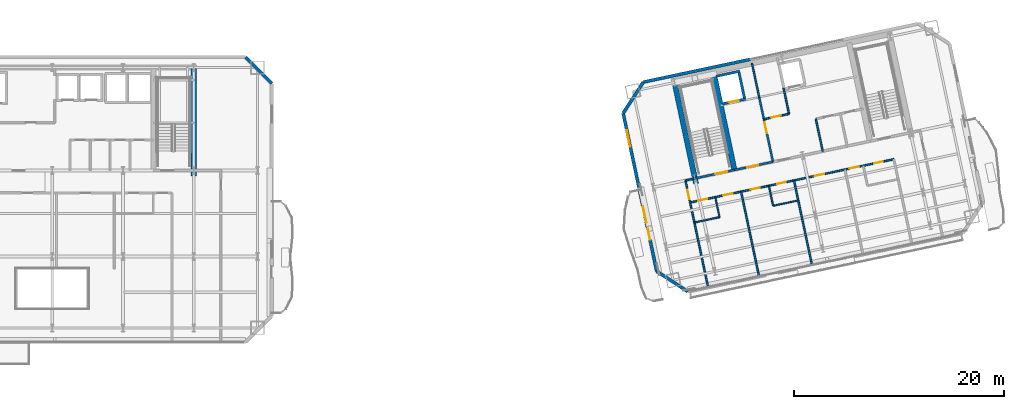
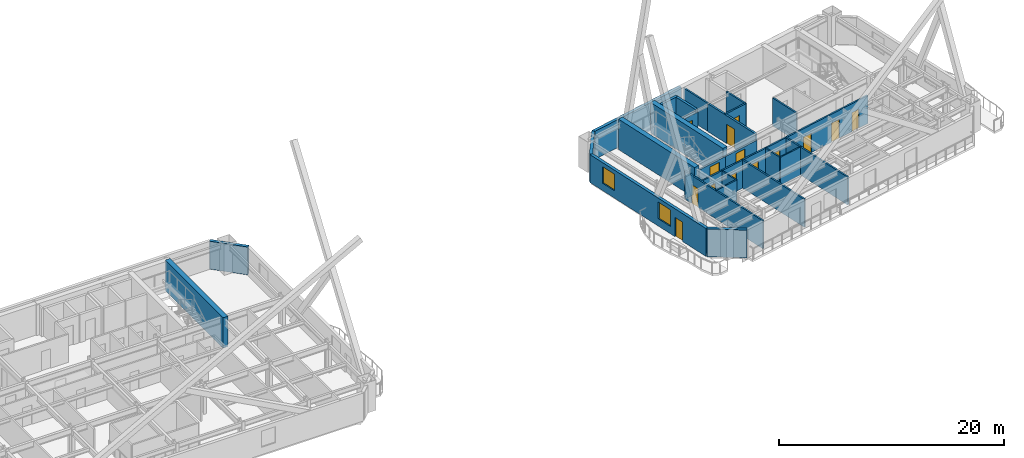
# One storey, part 12 of 19: 27 walls, 14 doors, 2 windows, 16 openings.
"""IFC4 building model written with IfcOpenShell, lengths in metres."""

from ifc_helpers import new_model, si_unit, direction, frame, frame_2d, origin, place, context, subcontext, project, spatial, rectangle, extrude, material, layer, layer_set, type_object, element, fill, save


model = new_model("IFC4")

# Units and contexts
model_context = context("Model", 3, precision=1e-05, world=origin(), true_north=direction((0.0, 1.0)))
body_context = subcontext(model_context, "Body", "Model", "MODEL_VIEW")
ifc_project = project(units=[si_unit("LENGTHUNIT", "METRE"), si_unit("AREAUNIT", "SQUARE_METRE"), si_unit("VOLUMEUNIT", "CUBIC_METRE"), si_unit("PLANEANGLEUNIT", "RADIAN"), si_unit("MASSUNIT", "GRAM", prefix="KILO")], contexts=[model_context])

# Site, building, storey
site_placement = place(None, origin())
site = spatial("IfcSite", under=ifc_project, at=site_placement, CompositionType="ELEMENT")
building_placement = place(site_placement, origin())
building = spatial("IfcBuilding", under=site, at=building_placement, Name="Haevon Station Towers", CompositionType="ELEMENT")
storey_placement = place(building_placement, frame((0.0, 0.0, 156.0)))
storey = spatial("IfcBuildingStorey", under=building, at=storey_placement, Name="L42", CompositionType="ELEMENT", Elevation=156.0)

# Wall, opening, door
ifc_material_1 = material(Name="Gypsum board on steel stud", Category="steel")
ifc_layer_1 = layer(ifc_material_1, 0.199951171875)
ifc_layer_set_1 = layer_set([ifc_layer_1], Name="Gypsum board on steel stud")
wall_type_1 = type_object("IfcWallType", Name="WL-COR200", PredefinedType="PARTITIONING", material=ifc_layer_set_1)
wall_1_placement = place(storey_placement, frame((98.75244140625, 37.4423828125, 0.0), z_axis=(0.0, 0.0, 1.0), x_axis=(0.978143537786, 0.207930804564, 0.0)))
wall_1 = element("IfcWall", 1, at=wall_1_placement, inside=storey, type_object=wall_type_1, Name="WL-ST-ST3-L42", PredefinedType="PARTITIONING", context=body_context, shape_type="SweptSolid", body=[
    extrude(rectangle(XDim=3.85009765625, YDim=0.199951171875, at=frame_2d((1.925048828125, 0.0))), origin(), (0.0, 0.0, 1.0), 2.3798828125),
])
opening_1_placement = place(wall_1_placement, frame((2.0, 0.0, 0.0)))
opening_1 = element("IfcOpeningElement", 2, at=opening_1_placement, cuts=wall_1, Name="Opening DR-ST-ST3-L42", PredefinedType="OPENING", context=body_context, shape_type="SweptSolid", body=[
    extrude(rectangle(XDim=1.1201171875, YDim=2.10009765625, at=frame_2d((0.56005859375, 1.050048828125))), frame((0.0, 0.10986328125, 0.0), z_axis=(0.0, -1.0, 0.0), x_axis=(1.0, 0.0, 0.0)), (0.0, 0.0, 1.0), 0.219970703125),
])
ifc_material_2 = material(Name="Engineered oak timber", Category="wood")
door_type_1 = type_object("IfcDoorType", Name="DR-ST-1120", OperationType="NOTDEFINED", PredefinedType="DOOR", material=ifc_material_2)
door_1_placement = place(opening_1_placement, origin())
door_1 = element("IfcDoor", 3, at=door_1_placement, inside=storey, type_object=door_type_1, Name="L42 Escape Stair ST3 Fire Door", OperationType="SINGLE_SWING_RIGHT", OverallHeight=2.10009765625, OverallWidth=1.1201171875, PredefinedType="DOOR", context=body_context, shape_type="SweptSolid", body=[
    extrude(rectangle(XDim=1.1201171875, YDim=2.10009765625, at=frame_2d((0.56005859375, 1.050048828125))), frame((0.0, 0.02490234375, 0.0), z_axis=(0.0, -1.0, 0.0), x_axis=(1.0, 0.0, 0.0)), (0.0, 0.0, 1.0), 0.050048828125),
])
fill(opening_1, door_1)

wall_2_placement = place(storey_placement, frame((106.186279296875, 39.0224609375, 0.0), z_axis=(0.0, 0.0, 1.0), x_axis=(-0.207916691923, 0.978146537703, 0.0)))
wall_2 = element("IfcWall", 4, at=wall_2_placement, inside=storey, type_object=wall_type_1, Name="WL-T2FFL-L42-E", PredefinedType="PARTITIONING", context=body_context, shape_type="SweptSolid", body=[
    extrude(rectangle(XDim=6.35009765625, YDim=0.199951171875, at=frame_2d((3.175048828125, 0.0))), origin(), (0.0, 0.0, 1.0), 3.030029296875),
])
opening_2_placement = place(wall_2_placement, frame((2.800048828125, 0.0, 0.0)))
opening_2 = element("IfcOpeningElement", 5, at=opening_2_placement, cuts=wall_2, Name="Opening DR-T2FFL-L42-E", PredefinedType="OPENING", context=body_context, shape_type="SweptSolid", body=[
    extrude(rectangle(XDim=1.050048828125, YDim=2.10009765625, at=frame_2d((0.52490234375, 1.050048828125))), frame((0.0, 0.10986328125, 0.0), z_axis=(0.0, -1.0, 0.0), x_axis=(1.0, 0.0, 0.0)), (0.0, 0.0, 1.0), 0.219970703125),
])
door_type_2 = type_object("IfcDoorType", Name="DR-FD60-1050", OperationType="NOTDEFINED", PredefinedType="DOOR", material=ifc_material_2)
door_2_placement = place(opening_2_placement, origin())
door_2 = element("IfcDoor", 6, at=door_2_placement, inside=storey, type_object=door_type_2, Name="L42 Tower 2 Firefighting Lift Lobby Door E", OperationType="SINGLE_SWING_RIGHT", OverallHeight=2.10009765625, OverallWidth=1.050048828125, PredefinedType="DOOR", context=body_context, shape_type="SweptSolid", body=[
    extrude(rectangle(XDim=1.050048828125, YDim=2.10009765625, at=frame_2d((0.52490234375, 1.050048828125))), frame((0.0, 0.02490234375, 0.0), z_axis=(0.0, -1.0, 0.0), x_axis=(1.0, 0.0, 0.0)), (0.0, 0.0, 1.0), 0.050048828125),
])
fill(opening_2, door_2)

wall_3_placement = place(storey_placement, frame((102.518310546875, 38.242919921875, 0.0), z_axis=(0.0, 0.0, 1.0), x_axis=(0.978153555683, 0.20788367301, 0.0)))
wall_3 = element("IfcWall", 7, at=wall_3_placement, inside=storey, type_object=wall_type_1, Name="WL-T2FFL-L42-S", PredefinedType="PARTITIONING", context=body_context, shape_type="SweptSolid", body=[
    extrude(rectangle(XDim=3.75, YDim=0.199951171875, at=frame_2d((1.875, 0.0))), origin(), (0.0, 0.0, 1.0), 2.3798828125),
])
opening_3_placement = place(wall_3_placement, frame((1.25, 0.0, 0.0)))
opening_3 = element("IfcOpeningElement", 8, at=opening_3_placement, cuts=wall_3, Name="Opening DR-T2FFL-L42-S", PredefinedType="OPENING", context=body_context, shape_type="SweptSolid", body=[
    extrude(rectangle(XDim=1.050048828125, YDim=2.10009765625, at=frame_2d((0.52490234375, 1.050048828125))), frame((0.0, 0.10986328125, 0.0), z_axis=(0.0, -1.0, 0.0), x_axis=(1.0, 0.0, 0.0)), (0.0, 0.0, 1.0), 0.219970703125),
])
door_3_placement = place(opening_3_placement, origin())
door_3 = element("IfcDoor", 9, at=door_3_placement, inside=storey, type_object=door_type_2, Name="L42 Tower 2 Firefighting Lift Lobby Door S", OperationType="SINGLE_SWING_LEFT", OverallHeight=2.10009765625, OverallWidth=1.050048828125, PredefinedType="DOOR", context=body_context, shape_type="SweptSolid", body=[
    extrude(rectangle(XDim=1.050048828125, YDim=2.10009765625, at=frame_2d((0.52490234375, 1.050048828125))), frame((0.0, 0.02490234375, 0.0), z_axis=(0.0, -1.0, 0.0), x_axis=(1.0, 0.0, 0.0)), (0.0, 0.0, 1.0), 0.050048828125),
])
fill(opening_3, door_3)

# Walls
ifc_material_3 = material(Name="Concrete C60/75", Category="concrete")
ifc_layer_2 = layer(ifc_material_3, 0.5)
ifc_layer_set_2 = layer_set([ifc_layer_2], Name="Concrete C60/75")
wall_type_2 = type_object("IfcWallType", Name="WL-CR500", PredefinedType="SHEAR", material=ifc_layer_set_2)
wall_4_placement = place(storey_placement, frame((51.0, 37.679931640625, 0.0), z_axis=(0.0, 0.0, 1.0), x_axis=(0.0, 1.0, 0.0)))
element("IfcWall", 10, at=wall_4_placement, inside=storey, type_object=wall_type_2, Name="WL-T1CR-L42-E", PredefinedType="SHEAR", context=body_context, shape_type="SweptSolid", body=[
    extrude(rectangle(XDim=10.320068359375, YDim=0.5, at=frame_2d((5.16015625, 0.0))), origin(), (0.0, 0.0, 1.0), 3.300048828125),
])
wall_5_placement = place(storey_placement, frame((98.8603515625, 36.933837890625, 0.0), z_axis=(0.0, 0.0, 1.0), x_axis=(-0.20790924889, 0.978148119778, 0.0)))
element("IfcWall", 11, at=wall_5_placement, inside=storey, type_object=wall_type_2, Name="WL-T2CR-L42-W", PredefinedType="SHEAR", context=body_context, shape_type="SweptSolid", body=[
    extrude(rectangle(XDim=10.119873046875, YDim=0.5, at=frame_2d((5.06005859375, 0.0))), origin(), (0.0, 0.0, 1.0), 3.300048828125),
])
wall_6_placement = place(storey_placement, frame((102.518310546875, 38.242919921875, 0.0), z_axis=(0.0, 0.0, 1.0), x_axis=(-0.207927495108, 0.978144241295, 0.0)))
element("IfcWall", 12, at=wall_6_placement, inside=storey, type_object=wall_type_2, Name="WL-T2CR-L42-M1", PredefinedType="SHEAR", context=body_context, shape_type="SweptSolid", body=[
    extrude(rectangle(XDim=9.599853515625, YDim=0.5, at=frame_2d((4.7998046875, 0.0))), origin(), (0.0, 0.0, 1.0), 3.300048828125),
])
ifc_material_4 = material(Name="Precast concrete C45/55", Category="concrete")
ifc_layer_3 = layer(ifc_material_4, 0.300048828125)
ifc_layer_set_3 = layer_set([ifc_layer_3], Name="Precast concrete C45/55")
wall_type_3 = type_object("IfcWallType", Name="WL-EXT-PIER300", PredefinedType="SOLIDWALL", material=ifc_layer_set_3)
wall_7_placement = place(storey_placement, frame((55.925048828125, 49.0, 0.0), z_axis=(0.0, 0.0, 1.0), x_axis=(0.707106781187, -0.707106781187, 0.0)))
element("IfcWall", 13, at=wall_7_placement, inside=storey, type_object=wall_type_3, Name="WL-T1-L42-NEC", PredefinedType="SOLIDWALL", context=body_context, shape_type="SweptSolid", body=[
    extrude(rectangle(XDim=3.53564453125, YDim=0.300048828125, at=frame_2d((1.767822265625, 0.0))), origin(), (0.0, 0.0, 1.0), 3.030029296875),
])
wall_8_placement = place(storey_placement, frame((98.080078125, 26.656982421875, 0.0), z_axis=(0.0, 0.0, 1.0), x_axis=(-0.838672309694, 0.544636352948, 0.0)))
element("IfcWall", 14, at=wall_8_placement, inside=storey, type_object=wall_type_3, Name="WL-T2-L42-SWC", PredefinedType="SOLIDWALL", context=body_context, shape_type="SweptSolid", body=[
    extrude(rectangle(XDim=3.535400390625, YDim=0.300048828125, at=frame_2d((1.767578125, 0.0))), origin(), (0.0, 0.0, 1.0), 3.030029296875),
])

# Wall, openings, door, windows
wall_9_placement = place(storey_placement, frame((95.114990234375, 28.58251953125, 0.0), z_axis=(0.0, 0.0, 1.0), x_axis=(-0.207908020757, 0.978148380822, 0.0)))
wall_9 = element("IfcWall", 15, at=wall_9_placement, inside=storey, type_object=wall_type_3, Name="WL-T2-L42-W", PredefinedType="SOLIDWALL", context=body_context, shape_type="SweptSolid", body=[
    extrude(rectangle(XDim=15.409912109375, YDim=0.300048828125, at=frame_2d((7.705078125, 0.0))), origin(), (0.0, 0.0, 1.0), 3.030029296875),
])
opening_4_placement = place(wall_9_placement, frame((3.080078125, 0.0, 0.0)))
opening_4 = element("IfcOpeningElement", 16, at=opening_4_placement, cuts=wall_9, Name="Opening DR-T2-SCAL-L42-W", PredefinedType="OPENING", context=body_context, shape_type="SweptSolid", body=[
    extrude(rectangle(XDim=1.050048828125, YDim=2.10009765625, at=frame_2d((0.52490234375, 1.050048828125))), frame((0.0, 0.159912109375, 0.0), z_axis=(0.0, -1.0, 0.0), x_axis=(1.0, 0.0, 0.0)), (0.0, 0.0, 1.0), 0.320068359375),
])
opening_5_placement = place(wall_9_placement, frame((4.724609375, 0.0, 0.800048828125)))
opening_5 = element("IfcOpeningElement", 17, at=opening_5_placement, cuts=wall_9, Name="Opening WN-END160", PredefinedType="OPENING", context=body_context, shape_type="SweptSolid", body=[
    extrude(rectangle(XDim=1.60009765625, YDim=1.800048828125, at=frame_2d((0.800048828125, 0.89990234375))), frame((0.0, 0.159912109375, 0.0), z_axis=(0.0, -1.0, 0.0), x_axis=(1.0, 0.0, 0.0)), (0.0, 0.0, 1.0), 0.320068359375),
])
opening_6_placement = place(wall_9_placement, frame((12.137939453125, 0.0, 0.800048828125)))
opening_6 = element("IfcOpeningElement", 18, at=opening_6_placement, cuts=wall_9, Name="Opening WN-END160", PredefinedType="OPENING", context=body_context, shape_type="SweptSolid", body=[
    extrude(rectangle(XDim=1.60009765625, YDim=1.800048828125, at=frame_2d((0.800048828125, 0.89990234375))), frame((0.0, 0.159912109375, 0.0), z_axis=(0.0, -1.0, 0.0), x_axis=(1.0, 0.0, 0.0)), (0.0, 0.0, 1.0), 0.320068359375),
])
ifc_material_5 = material(Name="Thermally broken anodised aluminium and laminated safety glass", Category="aluminium")
door_type_3 = type_object("IfcDoorType", Name="DR-BALC-1050", OperationType="NOTDEFINED", PredefinedType="DOOR", material=ifc_material_5)
door_4_placement = place(opening_4_placement, origin())
door_4 = element("IfcDoor", 19, at=door_4_placement, inside=storey, type_object=door_type_3, Name="Tower 2 L42 West Scalloped Balcony Door", OperationType="SINGLE_SWING_RIGHT", OverallHeight=2.10009765625, OverallWidth=1.050048828125, PredefinedType="DOOR", context=body_context, shape_type="SweptSolid", body=[
    extrude(rectangle(XDim=1.050048828125, YDim=2.10009765625, at=frame_2d((0.52490234375, 1.050048828125))), frame((0.0, 0.02490234375, 0.0), z_axis=(0.0, -1.0, 0.0), x_axis=(1.0, 0.0, 0.0)), (0.0, 0.0, 1.0), 0.050048828125),
])
fill(opening_4, door_4)
ifc_material_6 = material(Name="Low-E triple glazing in thermally broken aluminium", Category="aluminium")
window_type = type_object("IfcWindowType", Name="WN-END160", PartitioningType="SINGLE_PANEL", PredefinedType="WINDOW", material=ifc_material_6)
window_1_placement = place(opening_5_placement, origin())
window_1 = element("IfcWindow", 20, at=window_1_placement, inside=storey, type_object=window_type, Name="WN-T2-L42-W01", OverallHeight=1.800048828125, OverallWidth=1.60009765625, PartitioningType="SINGLE_PANEL", PredefinedType="WINDOW", context=body_context, shape_type="SweptSolid", body=[
    extrude(rectangle(XDim=1.60009765625, YDim=1.800048828125, at=frame_2d((0.800048828125, 0.89990234375))), frame((0.0, 0.030029296875, 0.0), z_axis=(0.0, -1.0, 0.0), x_axis=(1.0, 0.0, 0.0)), (0.0, 0.0, 1.0), 0.06005859375),
])
fill(opening_5, window_1)
window_2_placement = place(opening_6_placement, origin())
window_2 = element("IfcWindow", 21, at=window_2_placement, inside=storey, type_object=window_type, Name="WN-T2-L42-W02", OverallHeight=1.800048828125, OverallWidth=1.60009765625, PartitioningType="SINGLE_PANEL", PredefinedType="WINDOW", context=body_context, shape_type="SweptSolid", body=[
    extrude(rectangle(XDim=1.60009765625, YDim=1.800048828125, at=frame_2d((0.800048828125, 0.89990234375))), frame((0.0, 0.030029296875, 0.0), z_axis=(0.0, -1.0, 0.0), x_axis=(1.0, 0.0, 0.0)), (0.0, 0.0, 1.0), 0.06005859375),
])
fill(opening_6, window_2)

# Walls
wall_10_placement = place(storey_placement, frame((91.9111328125, 43.65576171875, 0.0), z_axis=(0.0, 0.0, 1.0), x_axis=(0.544636352948, 0.838672309694, 0.0)))
element("IfcWall", 22, at=wall_10_placement, inside=storey, type_object=wall_type_3, Name="WL-T2-L42-NWC", PredefinedType="SOLIDWALL", context=body_context, shape_type="SweptSolid", body=[
    extrude(rectangle(XDim=3.535400390625, YDim=0.300048828125, at=frame_2d((1.767578125, 0.0))), origin(), (0.0, 0.0, 1.0), 3.030029296875),
])
wall_11_placement = place(storey_placement, frame((93.836669921875, 46.620849609375, 0.0), z_axis=(0.0, 0.0, 1.0), x_axis=(0.978145663611, 0.207920804056, 0.0)))
element("IfcWall", 23, at=wall_11_placement, inside=storey, type_object=wall_type_3, Name="WL-T2-L42-N1", PredefinedType="SOLIDWALL", context=body_context, shape_type="SweptSolid", body=[
    extrude(rectangle(XDim=10.39990234375, YDim=0.300048828125, at=frame_2d((5.199951171875, 0.0))), origin(), (0.0, 0.0, 1.0), 3.030029296875),
])
ifc_layer_4 = layer(ifc_material_1, 0.125)
ifc_layer_set_4 = layer_set([ifc_layer_4], Name="Gypsum board on steel stud")
wall_type_4 = type_object("IfcWallType", Name="WL-PRT125", PredefinedType="PARTITIONING", material=ifc_layer_set_4)
wall_12_placement = place(storey_placement, frame((101.096435546875, 33.7490234375, 0.0), z_axis=(0.0, 0.0, 1.0), x_axis=(-0.207947096322, 0.978140074392, 0.0)))
element("IfcWall", 24, at=wall_12_placement, inside=storey, type_object=wall_type_4, Name="WL-T2PT-L42-07", PredefinedType="PARTITIONING", context=body_context, shape_type="SweptSolid", body=[
    extrude(rectangle(XDim=1.9501953125, YDim=0.125, at=frame_2d((0.97509765625, 0.0))), origin(), (0.0, 0.0, 1.0), 3.030029296875),
])
wall_13_placement = place(storey_placement, frame((106.203369140625, 34.83447265625, 0.0), z_axis=(0.0, 0.0, 1.0), x_axis=(0.978136559131, 0.207963630695, 0.0)))
element("IfcWall", 25, at=wall_13_placement, inside=storey, type_object=wall_type_4, Name="WL-T2PT-L42-09", PredefinedType="PARTITIONING", context=body_context, shape_type="SweptSolid", body=[
    extrude(rectangle(XDim=2.449951171875, YDim=0.125, at=frame_2d((1.22509765625, 0.0))), origin(), (0.0, 0.0, 1.0), 3.030029296875),
])
ifc_layer_5 = layer(ifc_material_1, 0.139892578125)
ifc_layer_set_5 = layer_set([ifc_layer_5], Name="Gypsum board on steel stud")
wall_type_5 = type_object("IfcWallType", Name="WL-PRT140", PredefinedType="PARTITIONING", material=ifc_layer_set_5)
wall_14_placement = place(storey_placement, frame((98.699951171875, 33.23974609375, 0.0), z_axis=(0.0, 0.0, 1.0), x_axis=(0.978156824814, 0.207868290196, 0.0)))
element("IfcWall", 26, at=wall_14_placement, inside=storey, type_object=wall_type_5, Name="WL-T2PT-L42-06", PredefinedType="PARTITIONING", context=body_context, shape_type="SweptSolid", body=[
    extrude(rectangle(XDim=2.449951171875, YDim=0.139892578125, at=frame_2d((1.22509765625, 0.0))), origin(), (0.0, 0.0, 1.0), 3.030029296875),
])
wall_15_placement = place(storey_placement, frame((106.203369140625, 34.83447265625, 0.0), z_axis=(0.0, 0.0, 1.0), x_axis=(-0.207947096322, 0.978140074392, 0.0)))
element("IfcWall", 27, at=wall_15_placement, inside=storey, type_object=wall_type_5, Name="WL-T2PT-L42-10", PredefinedType="PARTITIONING", context=body_context, shape_type="SweptSolid", body=[
    extrude(rectangle(XDim=1.9501953125, YDim=0.139892578125, at=frame_2d((0.97509765625, 0.0))), origin(), (0.0, 0.0, 1.0), 3.030029296875),
])
ifc_layer_6 = layer(ifc_material_1, 0.159912109375)
ifc_layer_set_6 = layer_set([ifc_layer_6], Name="Gypsum board on steel stud")
wall_type_6 = type_object("IfcWallType", Name="WL-PRT160", PredefinedType="PARTITIONING", material=ifc_layer_set_6)
wall_16_placement = place(storey_placement, frame((104.88671875, 45.135986328125, 0.0), z_axis=(0.0, 0.0, 1.0), x_axis=(-0.207846553267, 0.978161443881, 0.0)))
element("IfcWall", 28, at=wall_16_placement, inside=storey, type_object=wall_type_6, Name="WL-T2CW-L42-01", PredefinedType="PARTITIONING", context=body_context, shape_type="SweptSolid", body=[
    extrude(rectangle(XDim=3.35009765625, YDim=0.159912109375, at=frame_2d((1.675048828125, 0.0))), origin(), (0.0, 0.0, 1.0), 3.030029296875),
])

# Wall, opening, door
wall_17_placement = place(storey_placement, frame((105.323486328125, 43.081787109375, 0.0), z_axis=(0.0, 0.0, 1.0), x_axis=(0.978136559131, 0.207963630695, 0.0)))
wall_17 = element("IfcWall", 29, at=wall_17_placement, inside=storey, type_object=wall_type_6, Name="WL-T2CW-L42-02", PredefinedType="PARTITIONING", context=body_context, shape_type="SweptSolid", body=[
    extrude(rectangle(XDim=2.449951171875, YDim=0.159912109375, at=frame_2d((1.22509765625, 0.0))), origin(), (0.0, 0.0, 1.0), 3.030029296875),
])
opening_7_placement = place(wall_17_placement, frame((0.719970703125, 0.0, 0.0)))
opening_7 = element("IfcOpeningElement", 30, at=opening_7_placement, cuts=wall_17, Name="Opening DR-WL-T2CW-L42-02-1", PredefinedType="OPENING", context=body_context, shape_type="SweptSolid", body=[
    extrude(rectangle(XDim=0.89990234375, YDim=2.10009765625, at=frame_2d((0.449951171875, 1.050048828125))), frame((0.0, 0.08984375, 0.0), z_axis=(0.0, -1.0, 0.0), x_axis=(1.0, 0.0, 0.0)), (0.0, 0.0, 1.0), 0.179931640625),
])
door_type_4 = type_object("IfcDoorType", Name="DR-FD60-900", OperationType="NOTDEFINED", PredefinedType="DOOR", material=ifc_material_2)
door_5_placement = place(opening_7_placement, origin())
door_5 = element("IfcDoor", 31, at=door_5_placement, inside=storey, type_object=door_type_4, Name="L42 Tower 2 Core Room Door 2-1", OperationType="SINGLE_SWING_LEFT", OverallHeight=2.10009765625, OverallWidth=0.89990234375, PredefinedType="DOOR", context=body_context, shape_type="SweptSolid", body=[
    extrude(rectangle(XDim=0.89990234375, YDim=2.10009765625, at=frame_2d((0.449951171875, 1.050048828125))), frame((0.0, 0.02490234375, 0.0), z_axis=(0.0, -1.0, 0.0), x_axis=(1.0, 0.0, 0.0)), (0.0, 0.0, 1.0), 0.050048828125),
])
fill(opening_7, door_5)

# Walls
wall_18_placement = place(storey_placement, frame((107.719970703125, 43.59130859375, 0.0), z_axis=(0.0, 0.0, 1.0), x_axis=(-0.207914818928, 0.978146935828, 0.0)))
element("IfcWall", 32, at=wall_18_placement, inside=storey, type_object=wall_type_6, Name="WL-T2CW-L42-03", PredefinedType="PARTITIONING", context=body_context, shape_type="SweptSolid", body=[
    extrude(rectangle(XDim=2.5, YDim=0.159912109375, at=frame_2d((1.25, 0.0))), origin(), (0.0, 0.0, 1.0), 3.030029296875),
])
wall_19_placement = place(storey_placement, frame((110.93017578125, 40.031005859375, 0.0), z_axis=(0.0, 0.0, 1.0), x_axis=(-0.207877295669, 0.978154911016, 0.0)))
element("IfcWall", 33, at=wall_19_placement, inside=storey, type_object=wall_type_6, Name="WL-T2CW-L42-05", PredefinedType="PARTITIONING", context=body_context, shape_type="SweptSolid", body=[
    extrude(rectangle(XDim=3.14990234375, YDim=0.159912109375, at=frame_2d((1.574951171875, 0.0))), origin(), (0.0, 0.0, 1.0), 3.030029296875),
])
wall_20_placement = place(storey_placement, frame((97.84765625, 37.25, 0.0), z_axis=(0.0, 0.0, 1.0), x_axis=(0.978133353907, 0.20797870558, 0.0)))
element("IfcWall", 34, at=wall_20_placement, inside=storey, type_object=wall_type_6, Name="WL-T2PT-L42-02", PredefinedType="PARTITIONING", context=body_context, shape_type="SweptSolid", body=[
    extrude(rectangle(XDim=0.925048828125, YDim=0.159912109375, at=frame_2d((0.46240234375, 0.0))), origin(), (0.0, 0.0, 1.0), 2.3798828125),
])

# Wall, opening, door
wall_21_placement = place(storey_placement, frame((100.011962890625, 27.067626953125, 0.0), z_axis=(0.0, 0.0, 1.0), x_axis=(-0.207909525055, 0.978148061078, 0.0)))
wall_21 = element("IfcWall", 35, at=wall_21_placement, inside=storey, type_object=wall_type_6, Name="WL-T2PT-L42-04", PredefinedType="PARTITIONING", context=body_context, shape_type="SweptSolid", body=[
    extrude(rectangle(XDim=10.409912109375, YDim=0.159912109375, at=frame_2d((5.205078125, 0.0))), origin(), (0.0, 0.0, 1.0), 3.030029296875),
])
opening_8_placement = place(wall_21_placement, frame((8.580078125, 0.0, 0.0)))
opening_8 = element("IfcOpeningElement", 36, at=opening_8_placement, cuts=wall_21, Name="Opening DR-WL-T2PT-L42-04-01", PredefinedType="OPENING", context=body_context, shape_type="SweptSolid", body=[
    extrude(rectangle(XDim=0.89990234375, YDim=2.050048828125, at=frame_2d((0.449951171875, 1.02490234375))), frame((0.0, 0.08984375, 0.0), z_axis=(0.0, -1.0, 0.0), x_axis=(1.0, 0.0, 0.0)), (0.0, 0.0, 1.0), 0.179931640625),
])
door_type_5 = type_object("IfcDoorType", Name="DR-INT-900", OperationType="NOTDEFINED", PredefinedType="DOOR", material=ifc_material_2)
door_6_placement = place(opening_8_placement, origin())
door_6 = element("IfcDoor", 37, at=door_6_placement, inside=storey, type_object=door_type_5, Name="L42 Tower 2 Room Door 4-1", OperationType="SINGLE_SWING_RIGHT", OverallHeight=2.050048828125, OverallWidth=0.89990234375, PredefinedType="DOOR", context=body_context, shape_type="SweptSolid", body=[
    extrude(rectangle(XDim=0.89990234375, YDim=2.050048828125, at=frame_2d((0.449951171875, 1.02490234375))), frame((0.0, 0.02490234375, 0.0), z_axis=(0.0, -1.0, 0.0), x_axis=(1.0, 0.0, 0.0)), (0.0, 0.0, 1.0), 0.050048828125),
])
fill(opening_8, door_6)

# Walls
for number, where, z_axis, x_axis, name in (
    (38, (104.86474609375, 28.09912109375, 0.0), (0.0, 0.0, 1.0), (-0.207907892961, 0.978148407985, 0.0), "WL-T2PT-L42-08"),
    (39, (109.91162109375, 29.171875, 0.0), (0.0, 0.0, 1.0), (-0.207907892961, 0.978148407985, 0.0), "WL-T2PT-L42-11"),
):
    element("IfcWall", number, at=place(storey_placement, frame(where, z_axis=z_axis, x_axis=x_axis)), inside=storey, type_object=wall_type_6, Name=name, PredefinedType="PARTITIONING", context=body_context, shape_type="SweptSolid", body=[
        extrude(rectangle(XDim=8.259765625, YDim=0.159912109375, at=frame_2d((4.1298828125, 0.0))), origin(), (0.0, 0.0, 1.0), 3.030029296875),
    ])

# Wall, openings, doors
wall_22_placement = place(storey_placement, frame((98.294677734375, 35.14697265625, 0.0), z_axis=(0.0, 0.0, 1.0), x_axis=(0.978144966383, 0.207924084078, 0.0)))
wall_22 = element("IfcWall", 40, at=wall_22_placement, inside=storey, type_object=wall_type_6, Name="WL-T2PT-L42-15", PredefinedType="PARTITIONING", context=body_context, shape_type="SweptSolid", body=[
    extrude(rectangle(XDim=19.8447265625, YDim=0.159912109375, at=frame_2d((9.92236328125, 0.0))), origin(), (0.0, 0.0, 1.0), 3.030029296875),
])
opening_9_placement = place(wall_22_placement, frame((0.800048828125, 0.0, 0.0)))
opening_9 = element("IfcOpeningElement", 41, at=opening_9_placement, cuts=wall_22, Name="Opening DR-WL-T2PT-L42-15-01", PredefinedType="OPENING", context=body_context, shape_type="SweptSolid", body=[
    extrude(rectangle(XDim=0.85009765625, YDim=2.050048828125, at=frame_2d((0.425048828125, 1.02490234375))), frame((0.0, 0.08984375, 0.0), z_axis=(0.0, -1.0, 0.0), x_axis=(1.0, 0.0, 0.0)), (0.0, 0.0, 1.0), 0.179931640625),
])
opening_10_placement = place(wall_22_placement, frame((3.256103515625, 0.0, 0.0)))
opening_10 = element("IfcOpeningElement", 42, at=opening_10_placement, cuts=wall_22, Name="Opening DR-WL-T2PT-L42-15-02", PredefinedType="OPENING", context=body_context, shape_type="SweptSolid", body=[
    extrude(rectangle(XDim=0.89990234375, YDim=2.050048828125, at=frame_2d((0.449951171875, 1.02490234375))), frame((0.0, 0.08984375, 0.0), z_axis=(0.0, -1.0, 0.0), x_axis=(1.0, 0.0, 0.0)), (0.0, 0.0, 1.0), 0.179931640625),
])
opening_11_placement = place(wall_22_placement, frame((8.470947265625, 0.0, 0.0)))
opening_11 = element("IfcOpeningElement", 43, at=opening_11_placement, cuts=wall_22, Name="Opening DR-WL-T2PT-L42-15-03", PredefinedType="OPENING", context=body_context, shape_type="SweptSolid", body=[
    extrude(rectangle(XDim=0.85009765625, YDim=2.050048828125, at=frame_2d((0.425048828125, 1.02490234375))), frame((0.0, 0.08984375, 0.0), z_axis=(0.0, -1.0, 0.0), x_axis=(1.0, 0.0, 0.0)), (0.0, 0.0, 1.0), 0.179931640625),
])
opening_12_placement = place(wall_22_placement, frame((5.865966796875, 0.0, 0.0)))
opening_12 = element("IfcOpeningElement", 44, at=opening_12_placement, cuts=wall_22, Name="Opening DR-WL-T2PT-L42-15-04", PredefinedType="OPENING", context=body_context, shape_type="SweptSolid", body=[
    extrude(rectangle(XDim=0.89990234375, YDim=2.050048828125, at=frame_2d((0.449951171875, 1.02490234375))), frame((0.0, 0.08984375, 0.0), z_axis=(0.0, -1.0, 0.0), x_axis=(1.0, 0.0, 0.0)), (0.0, 0.0, 1.0), 0.179931640625),
])
opening_13_placement = place(wall_22_placement, frame((12.126953125, 0.0, 0.0)))
opening_13 = element("IfcOpeningElement", 45, at=opening_13_placement, cuts=wall_22, Name="Opening DR-WL-T2PT-L42-15-05", PredefinedType="OPENING", context=body_context, shape_type="SweptSolid", body=[
    extrude(rectangle(XDim=0.949951171875, YDim=2.10009765625, at=frame_2d((0.47509765625, 1.050048828125))), frame((0.0, 0.08984375, 0.0), z_axis=(0.0, -1.0, 0.0), x_axis=(1.0, 0.0, 0.0)), (0.0, 0.0, 1.0), 0.179931640625),
])
opening_14_placement = place(wall_22_placement, frame((17.928955078125, 0.0, 0.0)))
opening_14 = element("IfcOpeningElement", 46, at=opening_14_placement, cuts=wall_22, Name="Opening DR-WL-T2PT-L42-15-06", PredefinedType="OPENING", context=body_context, shape_type="SweptSolid", body=[
    extrude(rectangle(XDim=0.85009765625, YDim=2.050048828125, at=frame_2d((0.425048828125, 1.02490234375))), frame((0.0, 0.08984375, 0.0), z_axis=(0.0, -1.0, 0.0), x_axis=(1.0, 0.0, 0.0)), (0.0, 0.0, 1.0), 0.179931640625),
])
opening_15_placement = place(wall_22_placement, frame((15.52197265625, 0.0, 0.0)))
opening_15 = element("IfcOpeningElement", 47, at=opening_15_placement, cuts=wall_22, Name="Opening DR-WL-T2PT-L42-15-07", PredefinedType="OPENING", context=body_context, shape_type="SweptSolid", body=[
    extrude(rectangle(XDim=0.89990234375, YDim=2.050048828125, at=frame_2d((0.449951171875, 1.02490234375))), frame((0.0, 0.08984375, 0.0), z_axis=(0.0, -1.0, 0.0), x_axis=(1.0, 0.0, 0.0)), (0.0, 0.0, 1.0), 0.179931640625),
])
door_type_6 = type_object("IfcDoorType", Name="DR-FD30-850", OperationType="NOTDEFINED", PredefinedType="DOOR", material=ifc_material_2)
door_7_placement = place(opening_9_placement, origin())
door_7 = element("IfcDoor", 48, at=door_7_placement, inside=storey, type_object=door_type_6, Name="L42 Tower 2 Room Door 15-1", OperationType="SINGLE_SWING_RIGHT", OverallHeight=2.050048828125, OverallWidth=0.85009765625, PredefinedType="DOOR", context=body_context, shape_type="SweptSolid", body=[
    extrude(rectangle(XDim=0.85009765625, YDim=2.050048828125, at=frame_2d((0.425048828125, 1.02490234375))), frame((0.0, 0.02490234375, 0.0), z_axis=(0.0, -1.0, 0.0), x_axis=(1.0, 0.0, 0.0)), (0.0, 0.0, 1.0), 0.050048828125),
])
fill(opening_9, door_7)
door_8_placement = place(opening_11_placement, origin())
door_8 = element("IfcDoor", 49, at=door_8_placement, inside=storey, type_object=door_type_6, Name="L42 Tower 2 Room Door 15-3", OperationType="SINGLE_SWING_RIGHT", OverallHeight=2.050048828125, OverallWidth=0.85009765625, PredefinedType="DOOR", context=body_context, shape_type="SweptSolid", body=[
    extrude(rectangle(XDim=0.85009765625, YDim=2.050048828125, at=frame_2d((0.425048828125, 1.02490234375))), frame((0.0, 0.02490234375, 0.0), z_axis=(0.0, -1.0, 0.0), x_axis=(1.0, 0.0, 0.0)), (0.0, 0.0, 1.0), 0.050048828125),
])
fill(opening_11, door_8)
door_9_placement = place(opening_14_placement, origin())
door_9 = element("IfcDoor", 50, at=door_9_placement, inside=storey, type_object=door_type_6, Name="L42 Tower 2 Room Door 15-6", OperationType="SINGLE_SWING_LEFT", OverallHeight=2.050048828125, OverallWidth=0.85009765625, PredefinedType="DOOR", context=body_context, shape_type="SweptSolid", body=[
    extrude(rectangle(XDim=0.85009765625, YDim=2.050048828125, at=frame_2d((0.425048828125, 1.02490234375))), frame((0.0, 0.02490234375, 0.0), z_axis=(0.0, -1.0, 0.0), x_axis=(1.0, 0.0, 0.0)), (0.0, 0.0, 1.0), 0.050048828125),
])
fill(opening_14, door_9)
door_type_7 = type_object("IfcDoorType", Name="DR-FD30-950", OperationType="NOTDEFINED", PredefinedType="DOOR", material=ifc_material_2)
door_10_placement = place(opening_13_placement, origin())
door_10 = element("IfcDoor", 51, at=door_10_placement, inside=storey, type_object=door_type_7, Name="L42 Tower 2 Room Door 15-5", OperationType="SINGLE_SWING_RIGHT", OverallHeight=2.10009765625, OverallWidth=0.949951171875, PredefinedType="DOOR", context=body_context, shape_type="SweptSolid", body=[
    extrude(rectangle(XDim=0.949951171875, YDim=2.10009765625, at=frame_2d((0.47509765625, 1.050048828125))), frame((0.0, 0.02490234375, 0.0), z_axis=(0.0, -1.0, 0.0), x_axis=(1.0, 0.0, 0.0)), (0.0, 0.0, 1.0), 0.050048828125),
])
fill(opening_13, door_10)
door_11_placement = place(opening_10_placement, origin())
door_11 = element("IfcDoor", 52, at=door_11_placement, inside=storey, type_object=door_type_5, Name="L42 Tower 2 Room Door 15-2", OperationType="SINGLE_SWING_LEFT", OverallHeight=2.050048828125, OverallWidth=0.89990234375, PredefinedType="DOOR", context=body_context, shape_type="SweptSolid", body=[
    extrude(rectangle(XDim=0.89990234375, YDim=2.050048828125, at=frame_2d((0.449951171875, 1.02490234375))), frame((0.0, 0.02490234375, 0.0), z_axis=(0.0, -1.0, 0.0), x_axis=(1.0, 0.0, 0.0)), (0.0, 0.0, 1.0), 0.050048828125),
])
fill(opening_10, door_11)
door_12_placement = place(opening_12_placement, origin())
door_12 = element("IfcDoor", 53, at=door_12_placement, inside=storey, type_object=door_type_5, Name="L42 Tower 2 Room Door 15-4", OperationType="SINGLE_SWING_LEFT", OverallHeight=2.050048828125, OverallWidth=0.89990234375, PredefinedType="DOOR", context=body_context, shape_type="SweptSolid", body=[
    extrude(rectangle(XDim=0.89990234375, YDim=2.050048828125, at=frame_2d((0.449951171875, 1.02490234375))), frame((0.0, 0.02490234375, 0.0), z_axis=(0.0, -1.0, 0.0), x_axis=(1.0, 0.0, 0.0)), (0.0, 0.0, 1.0), 0.050048828125),
])
fill(opening_12, door_12)
door_13_placement = place(opening_15_placement, origin())
door_13 = element("IfcDoor", 54, at=door_13_placement, inside=storey, type_object=door_type_5, Name="L42 Tower 2 Room Door 15-7", OperationType="SINGLE_SWING_RIGHT", OverallHeight=2.050048828125, OverallWidth=0.89990234375, PredefinedType="DOOR", context=body_context, shape_type="SweptSolid", body=[
    extrude(rectangle(XDim=0.89990234375, YDim=2.050048828125, at=frame_2d((0.449951171875, 1.02490234375))), frame((0.0, 0.02490234375, 0.0), z_axis=(0.0, -1.0, 0.0), x_axis=(1.0, 0.0, 0.0)), (0.0, 0.0, 1.0), 0.050048828125),
])
fill(opening_15, door_13)

# Wall, opening, door
ifc_material_7 = material(Name="Concrete C40/50", Category="concrete")
ifc_layer_7 = layer(ifc_material_7, 0.239990234375)
ifc_layer_set_7 = layer_set([ifc_layer_7], Name="Concrete C40/50")
wall_type_7 = type_object("IfcWallType", Name="WL-SHF240", PredefinedType="PARTITIONING", material=ifc_layer_set_7)
wall_23_placement = place(storey_placement, frame((101.353759765625, 44.538330078125, 0.0), z_axis=(0.0, 0.0, 1.0), x_axis=(0.978141002414, 0.207942731049, 0.0)))
wall_23 = element("IfcWall", 55, at=wall_23_placement, inside=storey, type_object=wall_type_7, Name="WL-SHF-FL2-L42", PredefinedType="PARTITIONING", context=body_context, shape_type="SweptSolid", body=[
    extrude(rectangle(XDim=2.260009765625, YDim=0.239990234375, at=frame_2d((1.1298828125, 0.0))), origin(), (0.0, 0.0, 1.0), 2.72998046875),
])
opening_16_placement = place(wall_23_placement, frame((0.655029296875, 0.0, 0.0)))
opening_16 = element("IfcOpeningElement", 56, at=opening_16_placement, cuts=wall_23, Name="Opening LD-FL2-L42", PredefinedType="OPENING", context=body_context, shape_type="SweptSolid", body=[
    extrude(rectangle(XDim=0.949951171875, YDim=2.14990234375, at=frame_2d((0.47509765625, 1.074951171875))), frame((0.0, 0.1298828125, 0.0), z_axis=(0.0, -1.0, 0.0), x_axis=(1.0, 0.0, 0.0)), (0.0, 0.0, 1.0), 0.260009765625),
])
ifc_material_8 = material(Name="Stainless steel and rated core", Category="steel")
door_type_8 = type_object("IfcDoorType", Name="LD-FL950", OperationType="SLIDING_TO_LEFT", PredefinedType="DOOR", material=ifc_material_8)
door_14_placement = place(opening_16_placement, origin())
door_14 = element("IfcDoor", 57, at=door_14_placement, inside=storey, type_object=door_type_8, Name="L42 Lift FL2 Sliding Landing Door", OperationType="SLIDING_TO_LEFT", OverallHeight=2.14990234375, OverallWidth=0.949951171875, PredefinedType="DOOR", context=body_context, shape_type="SweptSolid", body=[
    extrude(rectangle(XDim=0.949951171875, YDim=2.14990234375, at=frame_2d((0.47509765625, 1.074951171875))), frame((0.0, 0.02490234375, 0.0), z_axis=(0.0, -1.0, 0.0), x_axis=(1.0, 0.0, 0.0)), (0.0, 0.0, 1.0), 0.050048828125),
])
fill(opening_16, door_14)

# Walls
wall_24_placement = place(storey_placement, frame((100.79248046875, 47.179443359375, 0.0), z_axis=(0.0, 0.0, 1.0), x_axis=(0.978162968872, 0.207839376268, 0.0)))
element("IfcWall", 58, at=wall_24_placement, inside=storey, type_object=wall_type_7, Name="WL-SHF-FL2-L42-N", PredefinedType="PARTITIONING", context=body_context, shape_type="SweptSolid", body=[
    extrude(rectangle(XDim=2.260009765625, YDim=0.239990234375, at=frame_2d((1.1298828125, 0.0))), origin(), (0.0, 0.0, 1.0), 3.030029296875),
])
wall_25_placement = place(storey_placement, frame((103.486328125, 44.99169921875, 0.0), z_axis=(0.0, 0.0, 1.0), x_axis=(-0.207978798957, 0.978133334052, 0.0)))
element("IfcWall", 59, at=wall_25_placement, inside=storey, type_object=wall_type_7, Name="WL-SHF-FL2-L42-E", PredefinedType="PARTITIONING", context=body_context, shape_type="SweptSolid", body=[
    extrude(rectangle(XDim=2.699951171875, YDim=0.239990234375, at=frame_2d((1.35009765625, 0.0))), origin(), (0.0, 0.0, 1.0), 3.030029296875),
])

save(model, "model.ifc")
